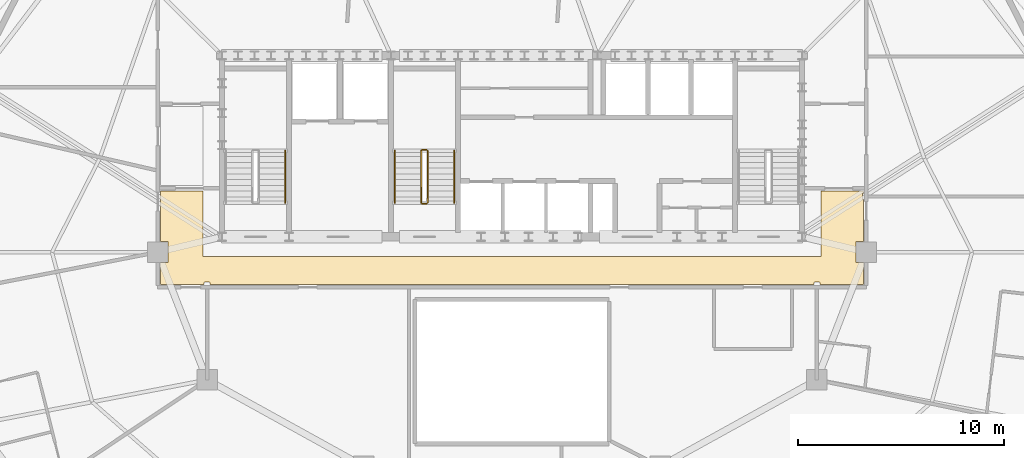
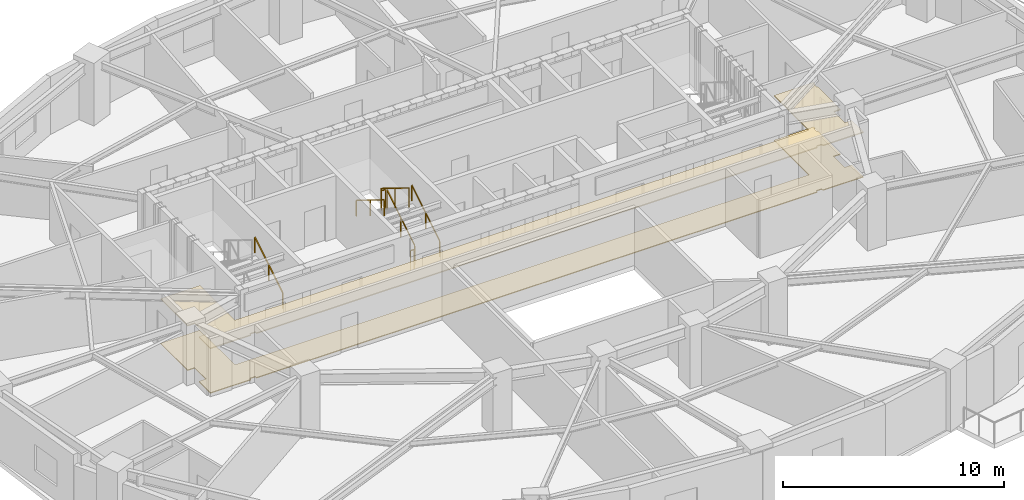
# One storey, part 9 of 10: 7 railings, 2 coverings.
"""IFC4 building model written with IfcOpenShell, lengths in metres."""

from ifc_helpers import new_model, si_unit, direction, frame, origin, origin_2d, place, context, subcontext, project, spatial, polyline, rectangle, outline, extrude, material, layer, layer_set, type_object, element, save


model = new_model("IFC4")

# Units and contexts
model_context = context("Model", 3, precision=1e-05, world=origin(), true_north=direction((0.0, 1.0)))
body_context = subcontext(model_context, "Body", "Model", "MODEL_VIEW")
ifc_project = project(units=[si_unit("LENGTHUNIT", "METRE"), si_unit("AREAUNIT", "SQUARE_METRE"), si_unit("VOLUMEUNIT", "CUBIC_METRE"), si_unit("PLANEANGLEUNIT", "RADIAN"), si_unit("MASSUNIT", "GRAM", prefix="KILO")], contexts=[model_context])

# Site, building, storey
site_placement = place(None, origin())
site = spatial("IfcSite", under=ifc_project, at=site_placement, CompositionType="ELEMENT")
building_placement = place(site_placement, origin())
building = spatial("IfcBuilding", under=site, at=building_placement, Name="Haldorwick Loom Tower", CompositionType="ELEMENT")
storey_placement = place(building_placement, frame((0.0, 0.0, 193.449951171875)))
storey = spatial("IfcBuildingStorey", under=building, at=storey_placement, Name="L52", CompositionType="ELEMENT", Elevation=193.449951171875)

# Coverings
ifc_material_1 = material(Name="Mineral Fibre Acoustic Ceiling Tile")
ifc_layer_1 = layer(ifc_material_1, 0.054931640625, Name="Mineral Fibre Acoustic Ceiling Tile")
ifc_layer_set_1 = layer_set([ifc_layer_1], Name="Mineral Fibre Acoustic Ceiling Tile")
covering_type_1 = type_object("IfcCoveringType", Name="ARC-COV-CEIL2", PredefinedType="CEILING", material=ifc_layer_set_1)
covering_1_placement = place(storey_placement, frame((0.0, 0.0, 2.458984375)))
element("IfcCovering", 1, at=covering_1_placement, inside=storey, type_object=covering_type_1, Name="L52 Acoustic Suspended Ceiling 1", PredefinedType="CEILING", context=body_context, shape_type="SweptSolid", body=[
    extrude(outline(polyline([(51.0, 28.9599609375), (51.0, 25.800048828125), (21.0, 25.800048828125), (21.0, 28.9599609375), (18.93994140625, 28.9599609375), (18.93994140625, 26.508056640625), (19.30810546875, 26.508056640625), (19.30810546875, 25.491943359375), (18.93994140625, 25.491943359375), (18.93994140625, 24.43994140625), (21.06005859375, 24.43994140625), (21.06005859375, 24.52001953125), (21.06005859375, 24.52197265625), (21.060302734375, 24.52392578125), (21.060791015625, 24.52587890625), (21.0615234375, 24.527587890625), (21.0625, 24.529296875), (21.0634765625, 24.531005859375), (21.064453125, 24.53271484375), (21.06591796875, 24.5341796875), (21.0673828125, 24.535400390625), (21.06884765625, 24.53662109375), (21.070556640625, 24.53759765625), (21.072265625, 24.53857421875), (21.07421875, 24.5390625), (21.076171875, 24.53955078125), (21.077880859375, 24.539794921875), (21.080078125, 24.5400390625), (21.320068359375, 24.5400390625), (21.322021484375, 24.539794921875), (21.323974609375, 24.53955078125), (21.32568359375, 24.5390625), (21.32763671875, 24.53857421875), (21.329345703125, 24.53759765625), (21.3310546875, 24.53662109375), (21.332763671875, 24.535400390625), (21.333984375, 24.5341796875), (21.33544921875, 24.53271484375), (21.336669921875, 24.531005859375), (21.337646484375, 24.529296875), (21.33837890625, 24.527587890625), (21.339111328125, 24.52587890625), (21.339599609375, 24.52392578125), (21.33984375, 24.52197265625), (21.340087890625, 24.52001953125), (21.340087890625, 24.43994140625), (50.659912109375, 24.43994140625), (50.659912109375, 24.52001953125), (50.66015625, 24.52197265625), (50.660400390625, 24.52392578125), (50.660888671875, 24.52587890625), (50.66162109375, 24.527587890625), (50.662353515625, 24.529296875), (50.663330078125, 24.531005859375), (50.66455078125, 24.53271484375), (50.666015625, 24.5341796875), (50.667236328125, 24.535400390625), (50.6689453125, 24.53662109375), (50.670654296875, 24.53759765625), (50.67236328125, 24.53857421875), (50.67431640625, 24.5390625), (50.676025390625, 24.53955078125), (50.677978515625, 24.539794921875), (50.679931640625, 24.5400390625), (50.919921875, 24.5400390625), (50.922119140625, 24.539794921875), (50.923828125, 24.53955078125), (50.92578125, 24.5390625), (50.927734375, 24.53857421875), (50.929443359375, 24.53759765625), (50.93115234375, 24.53662109375), (50.9326171875, 24.535400390625), (50.93408203125, 24.5341796875), (50.935546875, 24.53271484375), (50.9365234375, 24.531005859375), (50.9375, 24.529296875), (50.9384765625, 24.527587890625), (50.939208984375, 24.52587890625), (50.939697265625, 24.52392578125), (50.93994140625, 24.52197265625), (50.93994140625, 24.52001953125), (50.93994140625, 24.43994140625), (53.06005859375, 24.43994140625), (53.06005859375, 25.491943359375), (52.69189453125, 25.491943359375), (52.69189453125, 26.508056640625), (53.06005859375, 26.508056640625), (53.06005859375, 28.56005859375), (53.030029296875, 28.56005859375), (53.028076171875, 28.56005859375), (53.026123046875, 28.560302734375), (53.024169921875, 28.560791015625), (53.022216796875, 28.5615234375), (53.0205078125, 28.5625), (53.018798828125, 28.5634765625), (53.017333984375, 28.564453125), (53.015869140625, 28.56591796875), (53.014404296875, 28.5673828125), (53.013427734375, 28.56884765625), (53.012451171875, 28.570556640625), (53.011474609375, 28.572265625), (53.010986328125, 28.57421875), (53.010498046875, 28.576171875), (53.010009765625, 28.577880859375), (53.010009765625, 28.580078125), (53.010009765625, 28.820068359375), (53.010009765625, 28.822021484375), (53.010498046875, 28.823974609375), (53.010986328125, 28.82568359375), (53.011474609375, 28.82763671875), (53.012451171875, 28.829345703125), (53.013427734375, 28.8310546875), (53.014404296875, 28.832763671875), (53.015869140625, 28.833984375), (53.017333984375, 28.83544921875), (53.018798828125, 28.836669921875), (53.0205078125, 28.837646484375), (53.022216796875, 28.83837890625), (53.024169921875, 28.839111328125), (53.026123046875, 28.839599609375), (53.028076171875, 28.83984375), (53.030029296875, 28.840087890625), (53.06005859375, 28.840087890625), (53.06005859375, 28.9599609375), (51.0, 28.9599609375)])), origin(), (0.0, 0.0, 1.0), 0.05517578125),
])
ifc_material_2 = material(Name="Polished Aggregate Terrazzo Finish")
ifc_layer_2 = layer(ifc_material_2, 0.044921875, Name="Polished Aggregate Terrazzo Finish")
ifc_layer_set_2 = layer_set([ifc_layer_2], Name="Polished Aggregate Terrazzo Finish")
covering_type_2 = type_object("IfcCoveringType", Name="ARC-COV-FLOOR2", PredefinedType="FLOORING", material=ifc_layer_set_2)
covering_2_placement = place(storey_placement, origin())
element("IfcCovering", 2, at=covering_2_placement, inside=storey, type_object=covering_type_2, Name="L52 Floor Finish 1", PredefinedType="FLOORING", context=body_context, shape_type="SweptSolid", body=[
    extrude(outline(polyline([(51.0, 28.9599609375), (51.0, 25.800048828125), (21.0, 25.800048828125), (21.0, 28.9599609375), (18.93994140625, 28.9599609375), (18.93994140625, 26.508056640625), (19.30810546875, 26.508056640625), (19.30810546875, 25.491943359375), (18.93994140625, 25.491943359375), (18.93994140625, 24.43994140625), (21.06005859375, 24.43994140625), (21.06005859375, 24.52001953125), (21.06005859375, 24.52197265625), (21.060302734375, 24.52392578125), (21.060791015625, 24.52587890625), (21.0615234375, 24.527587890625), (21.0625, 24.529296875), (21.0634765625, 24.531005859375), (21.064453125, 24.53271484375), (21.06591796875, 24.5341796875), (21.0673828125, 24.535400390625), (21.06884765625, 24.53662109375), (21.070556640625, 24.53759765625), (21.072265625, 24.53857421875), (21.07421875, 24.5390625), (21.076171875, 24.53955078125), (21.077880859375, 24.539794921875), (21.080078125, 24.5400390625), (21.320068359375, 24.5400390625), (21.322021484375, 24.539794921875), (21.323974609375, 24.53955078125), (21.32568359375, 24.5390625), (21.32763671875, 24.53857421875), (21.329345703125, 24.53759765625), (21.3310546875, 24.53662109375), (21.332763671875, 24.535400390625), (21.333984375, 24.5341796875), (21.33544921875, 24.53271484375), (21.336669921875, 24.531005859375), (21.337646484375, 24.529296875), (21.33837890625, 24.527587890625), (21.339111328125, 24.52587890625), (21.339599609375, 24.52392578125), (21.33984375, 24.52197265625), (21.340087890625, 24.52001953125), (21.340087890625, 24.43994140625), (50.659912109375, 24.43994140625), (50.659912109375, 24.52001953125), (50.66015625, 24.52197265625), (50.660400390625, 24.52392578125), (50.660888671875, 24.52587890625), (50.66162109375, 24.527587890625), (50.662353515625, 24.529296875), (50.663330078125, 24.531005859375), (50.66455078125, 24.53271484375), (50.666015625, 24.5341796875), (50.667236328125, 24.535400390625), (50.6689453125, 24.53662109375), (50.670654296875, 24.53759765625), (50.67236328125, 24.53857421875), (50.67431640625, 24.5390625), (50.676025390625, 24.53955078125), (50.677978515625, 24.539794921875), (50.679931640625, 24.5400390625), (50.919921875, 24.5400390625), (50.922119140625, 24.539794921875), (50.923828125, 24.53955078125), (50.92578125, 24.5390625), (50.927734375, 24.53857421875), (50.929443359375, 24.53759765625), (50.93115234375, 24.53662109375), (50.9326171875, 24.535400390625), (50.93408203125, 24.5341796875), (50.935546875, 24.53271484375), (50.9365234375, 24.531005859375), (50.9375, 24.529296875), (50.9384765625, 24.527587890625), (50.939208984375, 24.52587890625), (50.939697265625, 24.52392578125), (50.93994140625, 24.52197265625), (50.93994140625, 24.52001953125), (50.93994140625, 24.43994140625), (53.06005859375, 24.43994140625), (53.06005859375, 25.491943359375), (52.69189453125, 25.491943359375), (52.69189453125, 26.508056640625), (53.06005859375, 26.508056640625), (53.06005859375, 28.56005859375), (53.030029296875, 28.56005859375), (53.028076171875, 28.56005859375), (53.026123046875, 28.560302734375), (53.024169921875, 28.560791015625), (53.022216796875, 28.5615234375), (53.0205078125, 28.5625), (53.018798828125, 28.5634765625), (53.017333984375, 28.564453125), (53.015869140625, 28.56591796875), (53.014404296875, 28.5673828125), (53.013427734375, 28.56884765625), (53.012451171875, 28.570556640625), (53.011474609375, 28.572265625), (53.010986328125, 28.57421875), (53.010498046875, 28.576171875), (53.010009765625, 28.577880859375), (53.010009765625, 28.580078125), (53.010009765625, 28.820068359375), (53.010009765625, 28.822021484375), (53.010498046875, 28.823974609375), (53.010986328125, 28.82568359375), (53.011474609375, 28.82763671875), (53.012451171875, 28.829345703125), (53.013427734375, 28.8310546875), (53.014404296875, 28.832763671875), (53.015869140625, 28.833984375), (53.017333984375, 28.83544921875), (53.018798828125, 28.836669921875), (53.0205078125, 28.837646484375), (53.022216796875, 28.83837890625), (53.024169921875, 28.839111328125), (53.026123046875, 28.839599609375), (53.028076171875, 28.83984375), (53.030029296875, 28.840087890625), (53.06005859375, 28.840087890625), (53.06005859375, 28.9599609375), (51.0, 28.9599609375)])), origin(), (0.0, 0.0, 1.0), 0.045166015625),
])

# Railings
ifc_material_3 = material(Name="Steel CSA G40.21 350W", Category="steel")
railing_type_1 = type_object("IfcRailingType", Name="ARC-RLG-GUARD112", PredefinedType="GUARDRAIL", material=ifc_material_3)
railing_1_placement = place(storey_placement, frame((31.89990234375, 28.39990234375, 0.172607421875)))
element("IfcRailing", 3, at=railing_1_placement, inside=storey, type_object=railing_type_1, Name="L52 ST-03 stair guard 1", PredefinedType="GUARDRAIL", context=body_context, shape_type="SweptSolid", body=[
    extrude(rectangle(XDim=0.048095703125, YDim=0.048095703125, at=origin_2d()), frame((0.0, 0.0, 1.076171875), z_axis=(0.0, 0.851400495292, 0.524516154772), x_axis=(-1.0, 0.0, 0.0)), (0.0, 0.0, 1.0), 2.9599609375),
    extrude(rectangle(XDim=0.0419921875, YDim=0.0419921875, at=origin_2d()), origin(), (0.0, 0.0, 1.0), 1.052001953125),
    extrude(rectangle(XDim=0.0419921875, YDim=0.0419921875, at=origin_2d()), frame((0.0, 1.260009765625, 0.7763671875)), (0.0, 0.0, 1.0), 1.052001953125),
    extrude(rectangle(XDim=0.0419921875, YDim=0.0419921875, at=origin_2d()), frame((0.0, 2.52001953125, 1.552490234375)), (0.0, 0.0, 1.0), 1.052001953125),
])
railing_2_placement = place(storey_placement, frame((31.85009765625, 30.969970703125, 1.72509765625)))
element("IfcRailing", 4, at=railing_2_placement, inside=storey, type_object=railing_type_1, Name="L52 ST-03 stair guard 2", PredefinedType="GUARDRAIL", context=body_context, shape_type="SweptSolid", body=[
    extrude(rectangle(XDim=0.048095703125, YDim=0.048095703125, at=origin_2d()), frame((0.0, 0.0, 1.076171875), z_axis=(-1.0, 0.0, 0.0), x_axis=(0.0, -1.0, 0.0)), (0.0, 0.0, 1.0), 0.2001953125),
    extrude(rectangle(XDim=0.0419921875, YDim=0.0419921875, at=origin_2d()), origin(), (0.0, 0.0, 1.0), 1.052001953125),
    extrude(rectangle(XDim=0.0419921875, YDim=0.0419921875, at=origin_2d()), frame((-0.2001953125, 0.0, 0.0)), (0.0, 0.0, 1.0), 1.052001953125),
])
railing_3_placement = place(storey_placement, frame((31.60009765625, 30.919921875, 1.8974609375)))
element("IfcRailing", 5, at=railing_3_placement, inside=storey, type_object=railing_type_1, Name="L52 ST-03 stair guard 3", PredefinedType="GUARDRAIL", context=body_context, shape_type="SweptSolid", body=[
    extrude(rectangle(XDim=0.048095703125, YDim=0.048095703125, at=origin_2d()), frame((0.0, 0.0, 1.076171875), z_axis=(0.0, -0.851400495292, 0.524516154772), x_axis=(1.0, 0.0, 0.0)), (0.0, 0.0, 1.0), 2.9599609375),
    extrude(rectangle(XDim=0.0419921875, YDim=0.0419921875, at=origin_2d()), origin(), (0.0, 0.0, 1.0), 1.052001953125),
    extrude(rectangle(XDim=0.0419921875, YDim=0.0419921875, at=origin_2d()), frame((0.0, -1.260009765625, 0.7763671875)), (0.0, 0.0, 1.0), 1.052001953125),
    extrude(rectangle(XDim=0.0419921875, YDim=0.0419921875, at=origin_2d()), frame((0.0, -2.52001953125, 1.552490234375)), (0.0, 0.0, 1.0), 1.052001953125),
])
railing_4_placement = place(storey_placement, frame((31.85009765625, 28.35009765625, 0.0)))
element("IfcRailing", 6, at=railing_4_placement, inside=storey, type_object=railing_type_1, Name="L52 ST-03 stair guard 4", PredefinedType="GUARDRAIL", context=body_context, shape_type="SweptSolid", body=[
    extrude(rectangle(XDim=0.048095703125, YDim=0.048095703125, at=origin_2d()), frame((0.0, 0.0, 1.076171875), z_axis=(-1.0, 0.0, 0.0), x_axis=(0.0, -1.0, 0.0)), (0.0, 0.0, 1.0), 0.2001953125),
    extrude(rectangle(XDim=0.0419921875, YDim=0.0419921875, at=origin_2d()), origin(), (0.0, 0.0, 1.0), 1.052001953125),
    extrude(rectangle(XDim=0.0419921875, YDim=0.0419921875, at=origin_2d()), frame((-0.2001953125, 0.0, 0.0)), (0.0, 0.0, 1.0), 1.052001953125),
])
railing_type_2 = type_object("IfcRailingType", Name="ARC-RLG-HAND092", PredefinedType="HANDRAIL", material=ifc_material_3)
for number, where, name in (
    (7, (25.0, 28.39990234375, 0.172607421875), "L52 ST-01 stair handrail 1"),
    (8, (33.199951171875, 28.39990234375, 0.172607421875), "L52 ST-03 stair handrail 1"),
):
    element("IfcRailing", number, at=place(storey_placement, frame(where)), inside=storey, type_object=railing_type_2, Name=name, PredefinedType="HANDRAIL", context=body_context, shape_type="SweptSolid", body=[
        extrude(rectangle(XDim=0.048095703125, YDim=0.048095703125, at=origin_2d()), frame((0.0, 0.0, 0.8759765625), z_axis=(0.0, 0.851400495292, 0.524516154772), x_axis=(-1.0, 0.0, 0.0)), (0.0, 0.0, 1.0), 2.9599609375),
        extrude(rectangle(XDim=0.0419921875, YDim=0.0419921875, at=origin_2d()), origin(), (0.0, 0.0, 1.0), 0.851806640625),
        extrude(rectangle(XDim=0.0419921875, YDim=0.0419921875, at=origin_2d()), frame((0.0, 1.260009765625, 0.7763671875)), (0.0, 0.0, 1.0), 0.851806640625),
        extrude(rectangle(XDim=0.0419921875, YDim=0.0419921875, at=origin_2d()), frame((0.0, 2.52001953125, 1.552490234375)), (0.0, 0.0, 1.0), 0.851806640625),
    ])
railing_5_placement = place(storey_placement, frame((30.300048828125, 30.919921875, 1.8974609375)))
element("IfcRailing", 9, at=railing_5_placement, inside=storey, type_object=railing_type_2, Name="L52 ST-03 stair handrail 2", PredefinedType="HANDRAIL", context=body_context, shape_type="SweptSolid", body=[
    extrude(rectangle(XDim=0.048095703125, YDim=0.048095703125, at=origin_2d()), frame((0.0, 0.0, 0.8759765625), z_axis=(0.0, -0.851400495292, 0.524516154772), x_axis=(1.0, 0.0, 0.0)), (0.0, 0.0, 1.0), 2.9599609375),
    extrude(rectangle(XDim=0.0419921875, YDim=0.0419921875, at=origin_2d()), origin(), (0.0, 0.0, 1.0), 0.851806640625),
    extrude(rectangle(XDim=0.0419921875, YDim=0.0419921875, at=origin_2d()), frame((0.0, -1.260009765625, 0.7763671875)), (0.0, 0.0, 1.0), 0.851806640625),
    extrude(rectangle(XDim=0.0419921875, YDim=0.0419921875, at=origin_2d()), frame((0.0, -2.52001953125, 1.552490234375)), (0.0, 0.0, 1.0), 0.851806640625),
])

save(model, "model.ifc")
